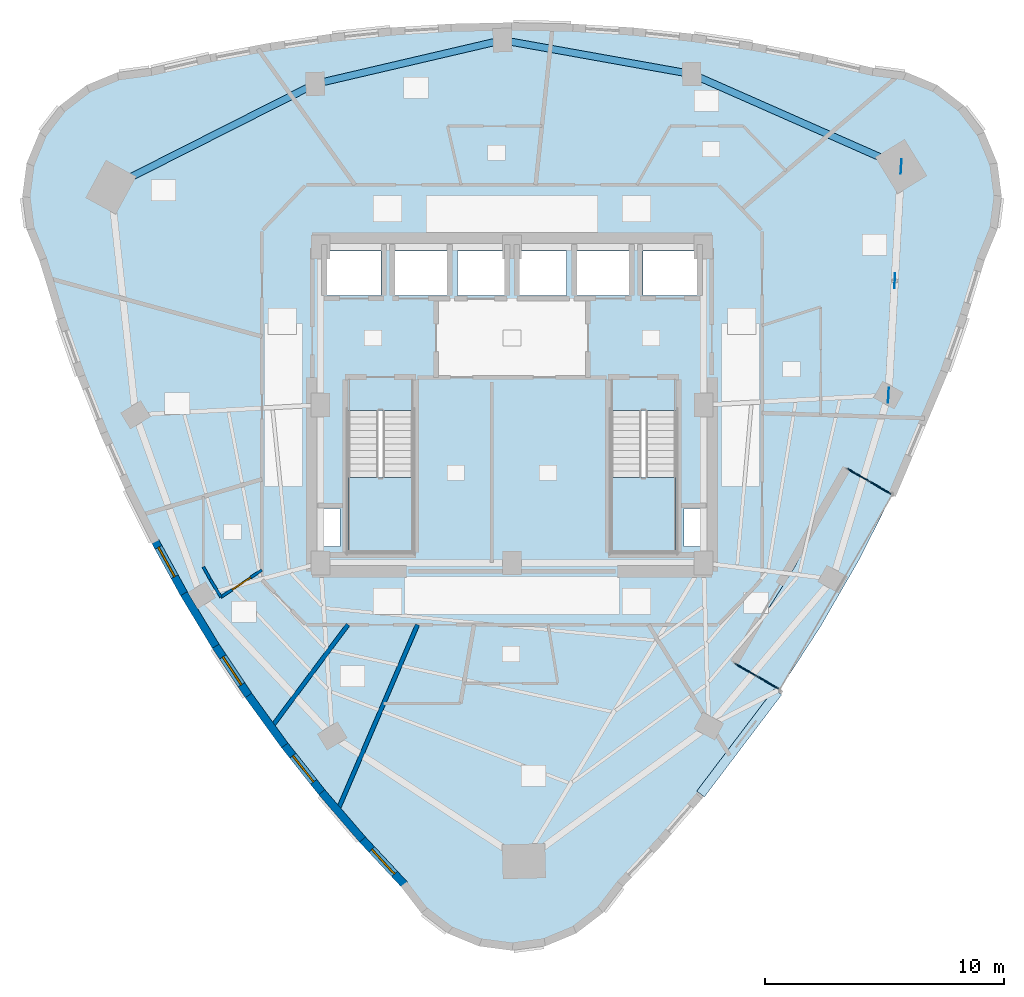
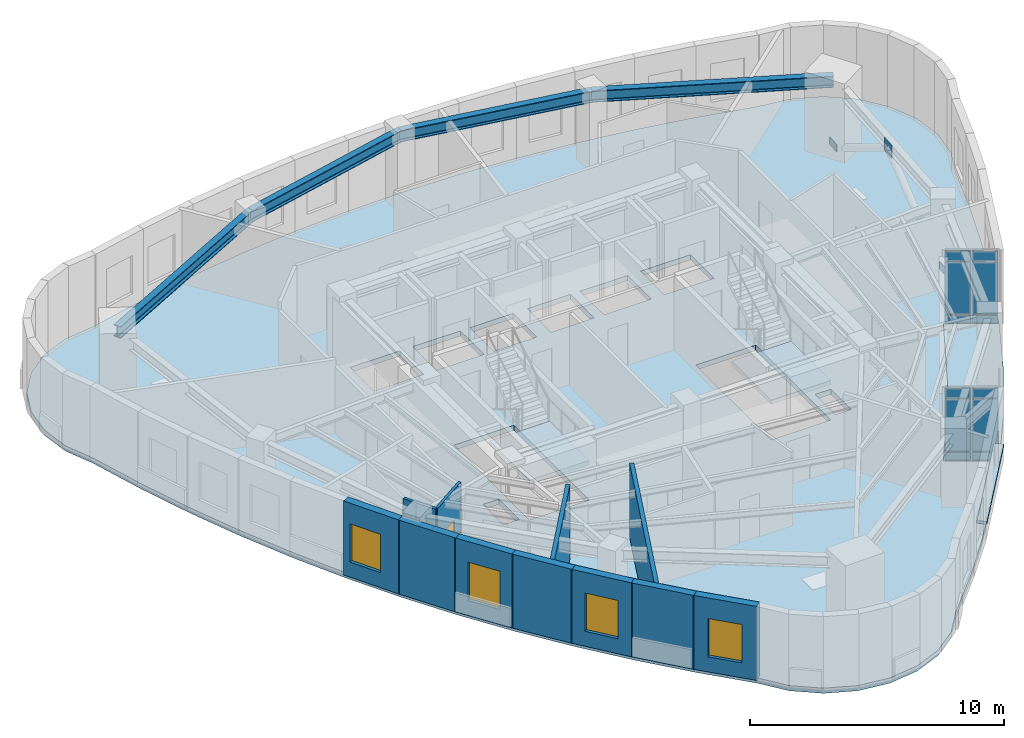
# One storey, part 5 of 12: 16 plates, 12 walls, 4 beams, 4 slabs, 4 windows, 1 door, 5 openings, 4 elements without a shape of their own.
"""IFC4 building model written with IfcOpenShell, lengths in metres."""

from ifc_helpers import new_model, si_unit, direction, frame, frame_2d, origin, origin_2d, place, context, subcontext, project, spatial, polyline, rectangle, i_section, outline, extrude, material, layer, layer_set, material_profile, profile_set, type_object, element, fill, aggregate, save


model = new_model("IFC4")

# Units and contexts
model_context = context("Model", 3, precision=1e-05, world=origin(), true_north=direction((0.0, 1.0)))
body_context = subcontext(model_context, "Body", "Model", "MODEL_VIEW")
ifc_project = project(units=[si_unit("LENGTHUNIT", "METRE"), si_unit("AREAUNIT", "SQUARE_METRE"), si_unit("VOLUMEUNIT", "CUBIC_METRE"), si_unit("PLANEANGLEUNIT", "RADIAN"), si_unit("MASSUNIT", "GRAM", prefix="KILO")], contexts=[model_context])

# Site, building, storey
site_placement = place(None, origin())
site = spatial("IfcSite", under=ifc_project, at=site_placement, CompositionType="ELEMENT")
building_placement = place(site_placement, origin())
building = spatial("IfcBuilding", under=site, at=building_placement, Name="Ndelora Gate Hotel", CompositionType="ELEMENT")
storey_placement = place(building_placement, frame((0.0, 0.0, 205.550048828125)))
storey = spatial("IfcBuildingStorey", under=building, at=storey_placement, Name="L51", CompositionType="ELEMENT", Elevation=205.550048828125)

# Beams
ifc_material_1 = material(Name="Steel S355", Category="steel")
ifc_material_profile = material_profile(ifc_material_1, i_section(OverallWidth=0.300048828125, OverallDepth=0.550048828125, WebThickness=0.014892578125, FlangeThickness=0.029052734375, FilletRadius=0.027099609375, at=origin_2d()), Name="HEB 550")
ifc_profile_set = profile_set([ifc_material_profile], Name="Steel S355")
beam_type = type_object("IfcBeamType", Name="BM-RING-550", PredefinedType="SPANDREL", material=ifc_profile_set)
beam_1_placement = place(storey_placement, frame((16.26025390625, 9.96435546875, 3.27490234375), z_axis=(-0.914807449647, 0.403890245078, 0.0), x_axis=(-0.403890245078, -0.914807449647, 0.0)))
element("IfcBeam", 1, at=beam_1_placement, inside=storey, type_object=beam_type, Name="L51 Perimeter Spandrel Girder 9", PredefinedType="SPANDREL", context=body_context, shape_type="SweptSolid", body=[
    extrude(i_section(OverallWidth=0.300048828125, OverallDepth=0.550048828125, WebThickness=0.014892578125, FlangeThickness=0.029052734375, FilletRadius=0.027099609375, at=origin_2d()), origin(), (0.0, 0.0, 1.0), 9.56689453125),
])
for number, where, z_axis, x_axis, name in (
    (2, (7.50830078125, 13.828369140625, 3.27490234375), (-0.984373619655, 0.176092523767, 0.0), (-0.176092523767, -0.984373619655, 0.0), "L51 Perimeter Spandrel Girder 10"),
    (3, (-0.399169921875, 15.242919921875, 3.27490234375), (-0.973809142107, -0.227367004529, 0.0), (0.227367004529, -0.973809142107, 0.0), "L51 Perimeter Spandrel Girder 11"),
):
    element("IfcBeam", number, at=place(storey_placement, frame(where, z_axis=z_axis, x_axis=x_axis)), inside=storey, type_object=beam_type, Name=name, PredefinedType="SPANDREL", context=body_context, shape_type="SweptSolid", body=[
        extrude(i_section(OverallWidth=0.300048828125, OverallDepth=0.550048828125, WebThickness=0.014892578125, FlangeThickness=0.029052734375, FilletRadius=0.027099609375, at=origin_2d()), origin(), (0.0, 0.0, 1.0), 8.032958984375),
    ])
beam_2_placement = place(storey_placement, frame((-8.2216796875, 13.41650390625, 3.27490234375), z_axis=(-0.89241242978, -0.451220628045, 0.0), x_axis=(0.451220628045, -0.89241242978, 0.0)))
element("IfcBeam", 4, at=beam_2_placement, inside=storey, type_object=beam_type, Name="L51 Perimeter Spandrel Girder 12", PredefinedType="SPANDREL", context=body_context, shape_type="SweptSolid", body=[
    extrude(i_section(OverallWidth=0.300048828125, OverallDepth=0.550048828125, WebThickness=0.014892578125, FlangeThickness=0.029052734375, FilletRadius=0.027099609375, at=origin_2d()), origin(), (0.0, 0.0, 1.0), 9.567138671875),
])

# Curtain wall, plates
ifc_material_2 = material(Name="Bronze Anodised Unitised Aluminium and Low-E Glass", Category="aluminium")
ifc_layer_1 = layer(ifc_material_2, 0.199951171875)
ifc_layer_set_1 = layer_set([ifc_layer_1], Name="Bronze Anodised Unitised Aluminium and Low-E Glass")
curtain_wall_type = type_object("IfcCurtainWallType", Name="CW-SYS-3", PredefinedType="NOTDEFINED", material=ifc_layer_set_1)
curtain_wall_1_placement = place(storey_placement, origin())
curtain_wall_1 = element("IfcCurtainWall", 5, at=curtain_wall_1_placement, inside=storey, type_object=curtain_wall_type, Name="L51 Sky-Garden Loggia Side Curtain Wall CW3-1", PredefinedType="NOTDEFINED")
ifc_material_3 = material(Name="Solar-Control Low-E Insulated Glazing", Category="glass")
ifc_layer_2 = layer(ifc_material_3, 0.048095703125)
ifc_layer_set_2 = layer_set([ifc_layer_2], Name="Solar-Control Low-E Insulated Glazing")
plate_type_1 = type_object("IfcPlateType", Name="PL-CW-GLZ36", PredefinedType="CURTAIN_PANEL", material=ifc_layer_set_2)
plate_1_placement = place(storey_placement, frame((9.77099609375, -11.068359375, 0.05908203125), z_axis=(0.0, 0.0, 1.0), x_axis=(0.866030416344, -0.499991317892, 0.0)))
plate_1 = element("IfcPlate", 6, at=plate_1_placement, type_object=plate_type_1, Name="CW3 panel 1.1", PredefinedType="CURTAIN_PANEL", context=body_context, shape_type="SweptSolid", body=[
    extrude(rectangle(XDim=1.014404296875, YDim=0.048095703125, at=origin_2d()), origin(), (0.0, 0.0, 1.0), 0.364501953125),
])
plate_2_placement = place(storey_placement, frame((9.77099609375, -11.068359375, 0.476318359375), z_axis=(0.0, 0.0, 1.0), x_axis=(0.866030416344, -0.499991317892, 0.0)))
plate_2 = element("IfcPlate", 7, at=plate_2_placement, type_object=plate_type_1, Name="CW3 panel 1.2", PredefinedType="CURTAIN_PANEL", context=body_context, shape_type="SweptSolid", body=[
    extrude(rectangle(XDim=1.014404296875, YDim=0.048095703125, at=origin_2d()), origin(), (0.0, 0.0, 1.0), 2.4970703125),
])
plate_3_placement = place(storey_placement, frame((9.77099609375, -11.068359375, 3.0263671875), z_axis=(0.0, 0.0, 1.0), x_axis=(0.866030416344, -0.499991317892, 0.0)))
plate_3 = element("IfcPlate", 8, at=plate_3_placement, type_object=plate_type_1, Name="CW3 panel 1.3", PredefinedType="CURTAIN_PANEL", context=body_context, shape_type="SweptSolid", body=[
    extrude(rectangle(XDim=1.014404296875, YDim=0.048095703125, at=origin_2d()), origin(), (0.0, 0.0, 1.0), 0.464599609375),
])
plate_4_placement = place(storey_placement, frame((10.695556640625, -11.602294921875, 0.05908203125), z_axis=(0.0, 0.0, 1.0), x_axis=(0.866030416344, -0.499991317892, 0.0)))
plate_4 = element("IfcPlate", 9, at=plate_4_placement, type_object=plate_type_1, Name="CW3 panel 2.1", PredefinedType="CURTAIN_PANEL", context=body_context, shape_type="SweptSolid", body=[
    extrude(rectangle(XDim=1.014404296875, YDim=0.048095703125, at=origin_2d()), origin(), (0.0, 0.0, 1.0), 0.364501953125),
])
plate_5_placement = place(storey_placement, frame((10.695556640625, -11.602294921875, 0.476318359375), z_axis=(0.0, 0.0, 1.0), x_axis=(0.866030416344, -0.499991317892, 0.0)))
plate_5 = element("IfcPlate", 10, at=plate_5_placement, type_object=plate_type_1, Name="CW3 panel 2.2", PredefinedType="CURTAIN_PANEL", context=body_context, shape_type="SweptSolid", body=[
    extrude(rectangle(XDim=1.014404296875, YDim=0.048095703125, at=origin_2d()), origin(), (0.0, 0.0, 1.0), 2.4970703125),
])
plate_6_placement = place(storey_placement, frame((10.695556640625, -11.602294921875, 3.0263671875), z_axis=(0.0, 0.0, 1.0), x_axis=(0.866030416344, -0.499991317892, 0.0)))
plate_6 = element("IfcPlate", 11, at=plate_6_placement, type_object=plate_type_1, Name="CW3 panel 2.3", PredefinedType="CURTAIN_PANEL", context=body_context, shape_type="SweptSolid", body=[
    extrude(rectangle(XDim=1.014404296875, YDim=0.048095703125, at=origin_2d()), origin(), (0.0, 0.0, 1.0), 0.464599609375),
])
aggregate(curtain_wall_1, [plate_1, plate_2, plate_3, plate_4, plate_5, plate_6])

curtain_wall_2_placement = place(storey_placement, origin())
curtain_wall_2 = element("IfcCurtainWall", 12, at=curtain_wall_2_placement, inside=storey, type_object=curtain_wall_type, Name="L51 Sky-Garden Loggia Side Curtain Wall CW3-2", PredefinedType="NOTDEFINED")
plate_7_placement = place(storey_placement, frame((15.3955078125, -3.46142578125, 0.05908203125), z_axis=(0.0, 0.0, 1.0), x_axis=(-0.866030416344, 0.499991317892, 0.0)))
plate_7 = element("IfcPlate", 13, at=plate_7_placement, type_object=plate_type_1, Name="CW3 panel 1.1", PredefinedType="CURTAIN_PANEL", context=body_context, shape_type="SweptSolid", body=[
    extrude(rectangle(XDim=1.014404296875, YDim=0.048095703125, at=origin_2d()), origin(), (0.0, 0.0, 1.0), 0.364501953125),
])
plate_8_placement = place(storey_placement, frame((15.3955078125, -3.46142578125, 0.476318359375), z_axis=(0.0, 0.0, 1.0), x_axis=(-0.866030416344, 0.499991317892, 0.0)))
plate_8 = element("IfcPlate", 14, at=plate_8_placement, type_object=plate_type_1, Name="CW3 panel 1.2", PredefinedType="CURTAIN_PANEL", context=body_context, shape_type="SweptSolid", body=[
    extrude(rectangle(XDim=1.014404296875, YDim=0.048095703125, at=origin_2d()), origin(), (0.0, 0.0, 1.0), 2.4970703125),
])
plate_9_placement = place(storey_placement, frame((15.3955078125, -3.46142578125, 3.0263671875), z_axis=(0.0, 0.0, 1.0), x_axis=(-0.866030416344, 0.499991317892, 0.0)))
plate_9 = element("IfcPlate", 15, at=plate_9_placement, type_object=plate_type_1, Name="CW3 panel 1.3", PredefinedType="CURTAIN_PANEL", context=body_context, shape_type="SweptSolid", body=[
    extrude(rectangle(XDim=1.014404296875, YDim=0.048095703125, at=origin_2d()), origin(), (0.0, 0.0, 1.0), 0.464599609375),
])
plate_10_placement = place(storey_placement, frame((14.470947265625, -2.927734375, 0.05908203125), z_axis=(0.0, 0.0, 1.0), x_axis=(-0.866030416344, 0.499991317892, 0.0)))
plate_10 = element("IfcPlate", 16, at=plate_10_placement, type_object=plate_type_1, Name="CW3 panel 2.1", PredefinedType="CURTAIN_PANEL", context=body_context, shape_type="SweptSolid", body=[
    extrude(rectangle(XDim=1.014404296875, YDim=0.048095703125, at=origin_2d()), origin(), (0.0, 0.0, 1.0), 0.364501953125),
])
plate_11_placement = place(storey_placement, frame((14.470947265625, -2.927734375, 0.476318359375), z_axis=(0.0, 0.0, 1.0), x_axis=(-0.866030416344, 0.499991317892, 0.0)))
plate_11 = element("IfcPlate", 17, at=plate_11_placement, type_object=plate_type_1, Name="CW3 panel 2.2", PredefinedType="CURTAIN_PANEL", context=body_context, shape_type="SweptSolid", body=[
    extrude(rectangle(XDim=1.014404296875, YDim=0.048095703125, at=origin_2d()), origin(), (0.0, 0.0, 1.0), 2.4970703125),
])
plate_12_placement = place(storey_placement, frame((14.470947265625, -2.927734375, 3.0263671875), z_axis=(0.0, 0.0, 1.0), x_axis=(-0.866030416344, 0.499991317892, 0.0)))
plate_12 = element("IfcPlate", 18, at=plate_12_placement, type_object=plate_type_1, Name="CW3 panel 2.3", PredefinedType="CURTAIN_PANEL", context=body_context, shape_type="SweptSolid", body=[
    extrude(rectangle(XDim=1.014404296875, YDim=0.048095703125, at=origin_2d()), origin(), (0.0, 0.0, 1.0), 0.464599609375),
])
aggregate(curtain_wall_2, [plate_7, plate_8, plate_9, plate_10, plate_11, plate_12])

# Plates
ifc_layer_3 = layer(ifc_material_1, 0.02001953125)
ifc_layer_set_3 = layer_set([ifc_layer_3], Name="Steel S355")
plate_type_2 = type_object("IfcPlateType", Name="PL-NODE-VN1", PredefinedType="USERDEFINED", material=ifc_layer_set_3)
for number, where, z_axis, x_axis, name in (
    (19, (15.72998046875, 0.411865234375, -0.2900390625), (0.0, 0.0, 1.0), (0.055472980025, 0.998460188734, 0.0), "Node gusset cap plate VN1"),
    (20, (16.26025390625, 9.96435546875, -0.2900390625), (0.0, 0.0, 1.0), (0.055472980025, 0.998460188734, 0.0), "Node gusset cap plate VN1"),
    (21, (15.9951171875, 5.18798828125, 2.68994140625), (0.0, 0.0, 1.0), (0.055472980025, 0.998460188734, 0.0), "Node gusset cap plate VN1"),
):
    element("IfcPlate", number, at=place(storey_placement, frame(where, z_axis=z_axis, x_axis=x_axis)), inside=storey, type_object=plate_type_2, Name=name, ObjectType="GUSSET_PLATE", PredefinedType="USERDEFINED", context=body_context, shape_type="SweptSolid", body=[
        extrude(rectangle(XDim=0.6201171875, YDim=0.02001953125, at=origin_2d()), origin(), (0.0, 0.0, 1.0), 0.6201171875),
    ])
ifc_material_4 = material(Name="Precast concrete C40/50", Category="concrete")
ifc_layer_4 = layer(ifc_material_4, 0.125)
ifc_layer_set_4 = layer_set([ifc_layer_4], Name="Precast concrete C40/50")
plate_type_3 = type_object("IfcPlateType", Name="PL-SILL-120", PredefinedType="USERDEFINED", material=ifc_layer_set_4)
plate_13_placement = place(storey_placement, frame((9.494384765625, -14.120849609375, 0.787353515625), z_axis=(0.0, 0.0, 1.0), x_axis=(0.603347183213, 0.797478637023, 0.0)))
element("IfcPlate", 22, at=plate_13_placement, inside=storey, type_object=plate_type_3, Name="L51 Streamline Precast Ribbon Sill 31", ObjectType="RIBBON_SILL", PredefinedType="USERDEFINED", context=body_context, shape_type="SweptSolid", body=[
    extrude(rectangle(XDim=5.35693359375, YDim=0.39990234375, at=origin_2d()), origin(), (0.0, 0.0, 1.0), 0.125),
])

# Stair, slab
stair_type = type_object("IfcStairType", Name="STR-DOG-CORE", PredefinedType="HALF_TURN_STAIR", material=ifc_material_4)
stair_1_placement = place(storey_placement, origin())
stair_1 = element("IfcStair", 23, at=stair_1_placement, inside=storey, type_object=stair_type, Name="L51 Protected Core Exit Stair ST4", PredefinedType="HALF_TURN_STAIR")
ifc_layer_5 = layer(ifc_material_4, 0.219970703125)
ifc_layer_set_5 = layer_set([ifc_layer_5], Name="Precast concrete C40/50")
slab_type_1 = type_object("IfcSlabType", Name="SL-LAND-220", PredefinedType="LANDING", material=ifc_layer_set_5)
slab_1_placement = place(storey_placement, frame((0.0, 0.0, 1.699951171875)))
slab_1 = element("IfcSlab", 24, at=slab_1_placement, type_object=slab_type_1, Name="ST4 landing 1", PredefinedType="LANDING", context=body_context, shape_type="SweptSolid", body=[
    extrude(outline(polyline([(-6.85009765625, -3.030029296875), (-6.85009765625, -6.14990234375), (-4.1298828125, -6.14990234375), (-4.1298828125, -3.030029296875), (-6.85009765625, -3.030029296875)])), origin(), (0.0, 0.0, 1.0), 0.199951171875),
])
aggregate(stair_1, [slab_1])

stair_2_placement = place(storey_placement, origin())
stair_2 = element("IfcStair", 25, at=stair_2_placement, inside=storey, type_object=stair_type, Name="L51 Protected Core Exit Stair ST5", PredefinedType="HALF_TURN_STAIR")
slab_2_placement = place(storey_placement, frame((0.0, 0.0, 1.699951171875)))
slab_2 = element("IfcSlab", 26, at=slab_2_placement, type_object=slab_type_1, Name="ST5 landing 1", PredefinedType="LANDING", context=body_context, shape_type="SweptSolid", body=[
    extrude(outline(polyline([(4.1298828125, -3.030029296875), (4.1298828125, -6.14990234375), (6.85009765625, -6.14990234375), (6.85009765625, -3.030029296875), (4.1298828125, -3.030029296875)])), origin(), (0.0, 0.0, 1.0), 0.199951171875),
])
aggregate(stair_2, [slab_2])

# Slabs
ifc_layer_6 = layer(ifc_material_4, 0.239990234375)
ifc_layer_set_6 = layer_set([ifc_layer_6], Name="Precast concrete C40/50")
slab_type_2 = type_object("IfcSlabType", Name="SL-TER-240", PredefinedType="FLOOR", material=ifc_layer_set_6)
slab_3_placement = place(storey_placement, frame((0.0, 0.0, -0.239990234375)))
element("IfcSlab", 27, at=slab_3_placement, inside=storey, type_object=slab_type_2, Name="L51 Sky Garden Loggia Terrace Slab", PredefinedType="FLOOR", context=body_context, shape_type="SweptSolid", body=[
    extrude(outline(polyline([(9.280517578125, -10.785400390625), (11.185791015625, -11.88525390625), (12.8779296875, -9.2802734375), (14.47607421875, -6.512451171875), (15.885986328125, -3.74462890625), (13.980712890625, -2.64453125), (11.790283203125, -6.80712890625), (9.280517578125, -10.785400390625)])), origin(), (0.0, 0.0, 1.0), 0.239990234375),
])
ifc_material_5 = material(Name="Concrete C40/50", Category="concrete")
ifc_layer_7 = layer(ifc_material_5, 0.25)
ifc_layer_set_7 = layer_set([ifc_layer_7], Name="Concrete C40/50")
slab_type_3 = type_object("IfcSlabType", Name="SL-TWR-250", PredefinedType="FLOOR", material=ifc_layer_set_7)
slab_4_placement = place(storey_placement, frame((0.0, 0.0, -0.25)))
element("IfcSlab", 28, at=slab_4_placement, inside=storey, type_object=slab_type_3, Name="L51 Structural Floor Slab", PredefinedType="FLOOR", context=body_context, shape_type="SweptSolid", body=[
    extrude(outline(polyline([(-15.09326171875, 13.9140625), (-16.439208984375, 13.737060546875), (-17.693359375, 13.217529296875), (-18.770263671875, 12.39111328125), (-19.5966796875, 11.314208984375), (-20.1162109375, 10.06005859375), (-20.293212890625, 8.714111328125), (-20.1162109375, 7.368408203125), (-19.5966796875, 6.114013671875), (-18.841796875, 3.645263671875), (-17.9951171875, 1.229248046875), (-17.057373046875, -1.134033203125), (-16.0283203125, -3.4443359375), (-14.907470703125, -5.7021484375), (-13.6953125, -7.906982421875), (-12.39208984375, -10.05908203125), (-10.9970703125, -12.15869140625), (-9.5107421875, -14.205078125), (-7.93310546875, -16.198974609375), (-6.263916015625, -18.139892578125), (-4.50341796875, -20.0283203125), (-3.677001953125, -21.105224609375), (-2.60009765625, -21.931640625), (-1.345947265625, -22.451171875), (0.0, -22.62841796875), (1.345947265625, -22.451171875), (2.60009765625, -21.931640625), (3.677001953125, -21.105224609375), (4.50341796875, -20.0283203125), (6.1953125, -18.216552734375), (7.802978515625, -16.356201171875), (11.185791015625, -11.88525390625), (9.280517578125, -10.785400390625), (11.790283203125, -6.80712890625), (13.980712890625, -2.64453125), (15.885986328125, -3.74462890625), (18.06640625, 1.420654296875), (18.87353515625, 3.7431640625), (19.5966796875, 6.114013671875), (20.1162109375, 7.368408203125), (20.293212890625, 8.714111328125), (20.1162109375, 10.06005859375), (19.5966796875, 11.314208984375), (18.770263671875, 12.39111328125), (17.693359375, 13.217529296875), (16.439208984375, 13.737060546875), (15.09326171875, 13.9140625), (12.577880859375, 14.49462890625), (10.062255859375, 14.9697265625), (7.546630859375, 15.339111328125), (5.031005859375, 15.60302734375), (2.515625, 15.761474609375), (0.0, 15.814208984375), (-2.515625, 15.761474609375), (-5.031005859375, 15.60302734375), (-7.546630859375, 15.339111328125), (-10.062255859375, 14.9697265625), (-12.577880859375, 14.49462890625), (-15.09326171875, 13.9140625)]), holes=[polyline([(-6.85009765625, -0.22998046875), (-6.85009765625, -6.14990234375), (-4.1298828125, -6.14990234375), (-4.1298828125, -0.22998046875), (-6.85009765625, -0.22998046875)]), polyline([(4.1298828125, -0.22998046875), (4.1298828125, -6.14990234375), (6.85009765625, -6.14990234375), (6.85009765625, -0.22998046875), (4.1298828125, -0.22998046875)]), polyline([(-7.72998046875, 4.570068359375), (-5.469970703125, 4.570068359375), (-5.469970703125, 6.429931640625), (-7.72998046875, 6.429931640625), (-7.72998046875, 4.570068359375)]), polyline([(5.469970703125, 4.570068359375), (7.72998046875, 4.570068359375), (7.72998046875, 6.429931640625), (5.469970703125, 6.429931640625), (5.469970703125, 4.570068359375)]), polyline([(-4.8798828125, 4.570068359375), (-2.719970703125, 4.570068359375), (-2.719970703125, 6.429931640625), (-4.8798828125, 6.429931640625), (-4.8798828125, 4.570068359375)]), polyline([(2.719970703125, 4.570068359375), (4.8798828125, 4.570068359375), (4.8798828125, 6.429931640625), (2.719970703125, 6.429931640625), (2.719970703125, 4.570068359375)]), polyline([(-2.280029296875, 4.570068359375), (-0.320068359375, 4.570068359375), (-0.320068359375, 6.429931640625), (-2.280029296875, 6.429931640625), (-2.280029296875, 4.570068359375)]), polyline([(0.320068359375, 4.570068359375), (2.280029296875, 4.570068359375), (2.280029296875, 6.429931640625), (0.320068359375, 6.429931640625), (0.320068359375, 4.570068359375)]), polyline([(-7.89990234375, -5.919921875), (-7.179931640625, -5.919921875), (-7.179931640625, -4.320068359375), (-7.89990234375, -4.320068359375), (-7.89990234375, -5.919921875)]), polyline([(7.179931640625, -5.919921875), (7.89990234375, -5.919921875), (7.89990234375, -4.320068359375), (7.179931640625, -4.320068359375), (7.179931640625, -5.919921875)])]), origin(), (0.0, 0.0, 1.0), 0.25),
])

# Walls
ifc_material_6 = material(Name="Acoustic Double-Stud Gypsum Assembly", Category="gypsum")
ifc_layer_8 = layer(ifc_material_6, 0.179931640625)
ifc_layer_set_8 = layer_set([ifc_layer_8], Name="Acoustic Double-Stud Gypsum Assembly")
wall_type_1 = type_object("IfcWallType", Name="WL-ACOUST-180", PredefinedType="PARTITIONING", material=ifc_layer_set_8)
wall_1_placement = place(storey_placement, frame((-6.851318359375, -9.179931640625, 0.0), z_axis=(0.0, 0.0, 1.0), x_axis=(-0.598105864396, -0.801417104244, 0.0)))
element("IfcWall", 29, at=wall_1_placement, inside=storey, type_object=wall_type_1, Name="L51 Interior Wall IW-3", PredefinedType="PARTITIONING", context=body_context, shape_type="SweptSolid", body=[
    extrude(rectangle(XDim=5.345947265625, YDim=0.179931640625, at=frame_2d((2.6728515625, 0.0))), origin(), (0.0, 0.0, 1.0), 3.550048828125),
])
wall_2_placement = place(storey_placement, frame((-3.947021484375, -9.179931640625, 0.0), z_axis=(0.0, 0.0, 1.0), x_axis=(-0.394985116266, -0.918687519197, 0.0)))
element("IfcWall", 30, at=wall_2_placement, inside=storey, type_object=wall_type_1, Name="L51 Interior Wall IW-3", PredefinedType="PARTITIONING", context=body_context, shape_type="SweptSolid", body=[
    extrude(rectangle(XDim=8.45751953125, YDim=0.179931640625, at=frame_2d((4.228759765625, 0.0))), origin(), (0.0, 0.0, 1.0), 3.550048828125),
])

# Wall, opening, window
ifc_material_7 = material(Name="Clay Brick Masonry", Category="masonry")
ifc_layer_9 = layer(ifc_material_7, 0.330078125)
ifc_layer_set_9 = layer_set([ifc_layer_9], Name="Clay Brick Masonry")
wall_type_2 = type_object("IfcWallType", Name="WL-BRICK-330", PredefinedType="SOLIDWALL", material=ifc_layer_set_9)
wall_3_placement = place(storey_placement, frame((-13.683349609375, -7.928955078125, 0.0), z_axis=(0.0, 0.0, 1.0), x_axis=(-0.481695948565, 0.87633841245, 0.0)))
wall_3 = element("IfcWall", 31, at=wall_3_placement, inside=storey, type_object=wall_type_2, Name="L51 Tower Brick Pier-and-Spandrel Wall TWR-14", PredefinedType="SOLIDWALL", context=body_context, shape_type="SweptSolid", body=[
    extrude(rectangle(XDim=2.566162109375, YDim=0.330078125, at=frame_2d((1.283203125, 0.0))), origin(), (0.0, 0.0, 1.0), 3.550048828125),
])
opening_1_placement = place(wall_3_placement, frame((0.860107421875, 0.0, 0.719970703125)))
opening_1 = element("IfcOpeningElement", 32, at=opening_1_placement, cuts=wall_3, Name="Opening W02", PredefinedType="OPENING", context=body_context, shape_type="SweptSolid", body=[
    extrude(rectangle(XDim=1.39990234375, YDim=1.840087890625, at=frame_2d((0.699951171875, 0.919921875))), frame((0.0, 0.175048828125, 0.0), z_axis=(0.0, -1.0, 0.0), x_axis=(1.0, 0.0, 0.0)), (0.0, 0.0, 1.0), 0.35009765625),
])
ifc_material_8 = material(Name="Insulated Low-E Double Glazing in Bronze Aluminium Frame", Category="aluminium")
window_type = type_object("IfcWindowType", Name="WN-DEEP-1400", PartitioningType="SINGLE_PANEL", PredefinedType="WINDOW", material=ifc_material_8)
window_1_placement = place(opening_1_placement, origin())
window_1 = element("IfcWindow", 33, at=window_1_placement, inside=storey, type_object=window_type, Name="L51 Deep-Set Brick-Pier Window W02", OverallHeight=1.840087890625, OverallWidth=1.39990234375, PartitioningType="SINGLE_PANEL", PredefinedType="WINDOW", context=body_context, shape_type="SweptSolid", body=[
    extrude(rectangle(XDim=1.39990234375, YDim=1.840087890625, at=frame_2d((0.699951171875, 0.919921875))), frame((0.0, 0.030029296875, 0.0), z_axis=(0.0, -1.0, 0.0), x_axis=(1.0, 0.0, 0.0)), (0.0, 0.0, 1.0), 0.06005859375),
])
fill(opening_1, window_1)

# Wall
wall_4_placement = place(storey_placement, frame((-12.37890625, -10.08056640625, 0.0), z_axis=(0.0, 0.0, 1.0), x_axis=(-0.518128806216, 0.855302601521, 0.0)))
element("IfcWall", 34, at=wall_4_placement, inside=storey, type_object=wall_type_2, Name="L51 Tower Brick Pier-and-Spandrel Wall TWR-15", PredefinedType="SOLIDWALL", context=body_context, shape_type="SweptSolid", body=[
    extrude(rectangle(XDim=2.566162109375, YDim=0.330078125, at=frame_2d((1.283203125, 0.0))), origin(), (0.0, 0.0, 1.0), 3.550048828125),
])

# Wall, opening, window
wall_5_placement = place(storey_placement, frame((-10.9833984375, -12.179443359375, 0.0), z_axis=(0.0, 0.0, 1.0), x_axis=(-0.553340543582, 0.832955126539, 0.0)))
wall_5 = element("IfcWall", 35, at=wall_5_placement, inside=storey, type_object=wall_type_2, Name="L51 Tower Brick Pier-and-Spandrel Wall TWR-16", PredefinedType="SOLIDWALL", context=body_context, shape_type="SweptSolid", body=[
    extrude(rectangle(XDim=2.570556640625, YDim=0.330078125, at=frame_2d((1.28515625, 0.0))), origin(), (0.0, 0.0, 1.0), 3.550048828125),
])
opening_2_placement = place(wall_5_placement, frame((0.585205078125, 0.0, 0.719970703125)))
opening_2 = element("IfcOpeningElement", 36, at=opening_2_placement, cuts=wall_5, Name="Opening W02", PredefinedType="OPENING", context=body_context, shape_type="SweptSolid", body=[
    extrude(rectangle(XDim=1.39990234375, YDim=1.840087890625, at=frame_2d((0.699951171875, 0.919921875))), frame((0.0, 0.175048828125, 0.0), z_axis=(0.0, -1.0, 0.0), x_axis=(1.0, 0.0, 0.0)), (0.0, 0.0, 1.0), 0.35009765625),
])
window_2_placement = place(opening_2_placement, origin())
window_2 = element("IfcWindow", 37, at=window_2_placement, inside=storey, type_object=window_type, Name="L51 Deep-Set Brick-Pier Window W02", OverallHeight=1.840087890625, OverallWidth=1.39990234375, PartitioningType="SINGLE_PANEL", PredefinedType="WINDOW", context=body_context, shape_type="SweptSolid", body=[
    extrude(rectangle(XDim=1.39990234375, YDim=1.840087890625, at=frame_2d((0.699951171875, 0.919921875))), frame((0.0, 0.030029296875, 0.0), z_axis=(0.0, -1.0, 0.0), x_axis=(1.0, 0.0, 0.0)), (0.0, 0.0, 1.0), 0.06005859375),
])
fill(opening_2, window_2)

# Wall
wall_6_placement = place(storey_placement, frame((-9.49609375, -14.225341796875, 0.0), z_axis=(0.0, 0.0, 1.0), x_axis=(-0.587631253471, 0.809128858677, 0.0)))
element("IfcWall", 38, at=wall_6_placement, inside=storey, type_object=wall_type_2, Name="L51 Tower Brick Pier-and-Spandrel Wall TWR-17", PredefinedType="SOLIDWALL", context=body_context, shape_type="SweptSolid", body=[
    extrude(rectangle(XDim=2.5791015625, YDim=0.330078125, at=frame_2d((1.28955078125, 0.0))), origin(), (0.0, 0.0, 1.0), 3.550048828125),
])

# Wall, opening, window
wall_7_placement = place(storey_placement, frame((-7.91748046875, -16.218505859375, 0.0), z_axis=(0.0, 0.0, 1.0), x_axis=(-0.62057509915, 0.784147018304, 0.0)))
wall_7 = element("IfcWall", 39, at=wall_7_placement, inside=storey, type_object=wall_type_2, Name="L51 Tower Brick Pier-and-Spandrel Wall TWR-18", PredefinedType="SOLIDWALL", context=body_context, shape_type="SweptSolid", body=[
    extrude(rectangle(XDim=2.592529296875, YDim=0.330078125, at=frame_2d((1.29638671875, 0.0))), origin(), (0.0, 0.0, 1.0), 3.550048828125),
])
opening_3_placement = place(wall_7_placement, frame((0.59619140625, 0.0, 0.719970703125)))
opening_3 = element("IfcOpeningElement", 40, at=opening_3_placement, cuts=wall_7, Name="Opening W02", PredefinedType="OPENING", context=body_context, shape_type="SweptSolid", body=[
    extrude(rectangle(XDim=1.39990234375, YDim=1.840087890625, at=frame_2d((0.699951171875, 0.919921875))), frame((0.0, 0.175048828125, 0.0), z_axis=(0.0, -1.0, 0.0), x_axis=(1.0, 0.0, 0.0)), (0.0, 0.0, 1.0), 0.35009765625),
])
window_3_placement = place(opening_3_placement, origin())
window_3 = element("IfcWindow", 41, at=window_3_placement, inside=storey, type_object=window_type, Name="L51 Deep-Set Brick-Pier Window W02", OverallHeight=1.840087890625, OverallWidth=1.39990234375, PartitioningType="SINGLE_PANEL", PredefinedType="WINDOW", context=body_context, shape_type="SweptSolid", body=[
    extrude(rectangle(XDim=1.39990234375, YDim=1.840087890625, at=frame_2d((0.699951171875, 0.919921875))), frame((0.0, 0.030029296875, 0.0), z_axis=(0.0, -1.0, 0.0), x_axis=(1.0, 0.0, 0.0)), (0.0, 0.0, 1.0), 0.06005859375),
])
fill(opening_3, window_3)

# Wall
wall_8_placement = place(storey_placement, frame((-6.24755859375, -18.158935546875, 0.0), z_axis=(0.0, 0.0, 1.0), x_axis=(-0.651976891987, 0.758238835932, 0.0)))
element("IfcWall", 42, at=wall_8_placement, inside=storey, type_object=wall_type_2, Name="L51 Tower Brick Pier-and-Spandrel Wall TWR-19", PredefinedType="SOLIDWALL", context=body_context, shape_type="SweptSolid", body=[
    extrude(rectangle(XDim=2.610107421875, YDim=0.330078125, at=frame_2d((1.30517578125, 0.0))), origin(), (0.0, 0.0, 1.0), 3.550048828125),
])

# Wall, opening, window
wall_9_placement = place(storey_placement, frame((-4.486328125, -20.046630859375, 0.0), z_axis=(0.0, 0.0, 1.0), x_axis=(-0.68190500199, 0.731440748291, 0.0)))
wall_9 = element("IfcWall", 43, at=wall_9_placement, inside=storey, type_object=wall_type_2, Name="L51 Tower Brick Pier-and-Spandrel Wall TWR-20", PredefinedType="SOLIDWALL", context=body_context, shape_type="SweptSolid", body=[
    extrude(rectangle(XDim=2.6318359375, YDim=0.330078125, at=frame_2d((1.31591796875, 0.0))), origin(), (0.0, 0.0, 1.0), 3.550048828125),
])
opening_4_placement = place(wall_9_placement, frame((0.615966796875, 0.0, 0.719970703125)))
opening_4 = element("IfcOpeningElement", 44, at=opening_4_placement, cuts=wall_9, Name="Opening W02", PredefinedType="OPENING", context=body_context, shape_type="SweptSolid", body=[
    extrude(rectangle(XDim=1.39990234375, YDim=1.840087890625, at=frame_2d((0.699951171875, 0.919921875))), frame((0.0, 0.175048828125, 0.0), z_axis=(0.0, -1.0, 0.0), x_axis=(1.0, 0.0, 0.0)), (0.0, 0.0, 1.0), 0.35009765625),
])
window_4_placement = place(opening_4_placement, origin())
window_4 = element("IfcWindow", 45, at=window_4_placement, inside=storey, type_object=window_type, Name="L51 Deep-Set Brick-Pier Window W02", OverallHeight=1.840087890625, OverallWidth=1.39990234375, PartitioningType="SINGLE_PANEL", PredefinedType="WINDOW", context=body_context, shape_type="SweptSolid", body=[
    extrude(rectangle(XDim=1.39990234375, YDim=1.840087890625, at=frame_2d((0.699951171875, 0.919921875))), frame((0.0, 0.030029296875, 0.0), z_axis=(0.0, -1.0, 0.0), x_axis=(1.0, 0.0, 0.0)), (0.0, 0.0, 1.0), 0.06005859375),
])
fill(opening_4, window_4)

# Wall, opening, door
ifc_material_9 = material(Name="Moisture-Resistant Bathroom Tile Partition", Category="gypsum")
ifc_layer_10 = layer(ifc_material_9, 0.1201171875)
ifc_layer_set_10 = layer_set([ifc_layer_10], Name="Moisture-Resistant Bathroom Tile Partition")
wall_type_3 = type_object("IfcWallType", Name="WL-WET-120", PredefinedType="PARTITIONING", material=ifc_layer_set_10)
wall_10_placement = place(storey_placement, frame((-10.449951171875, -6.89794921875, 0.0), z_axis=(0.0, 0.0, 1.0), x_axis=(-0.834551377169, -0.550930121581, 0.0)))
wall_10 = element("IfcWall", 46, at=wall_10_placement, inside=storey, type_object=wall_type_3, Name="L51 Interior Wall IW-7", PredefinedType="PARTITIONING", context=body_context, shape_type="SweptSolid", body=[
    extrude(rectangle(XDim=2.050537109375, YDim=0.1201171875, at=frame_2d((1.025390625, 0.0))), origin(), (0.0, 0.0, 1.0), 3.550048828125),
])
opening_5_placement = place(wall_10_placement, frame((0.565185546875, 0.0, 0.0)))
opening_5 = element("IfcOpeningElement", 47, at=opening_5_placement, cuts=wall_10, Name="Opening D03", PredefinedType="OPENING", context=body_context, shape_type="SweptSolid", body=[
    extrude(rectangle(XDim=0.919921875, YDim=2.10009765625, at=frame_2d((0.4599609375, 1.050048828125))), frame((0.0, 0.070068359375, 0.0), z_axis=(0.0, -1.0, 0.0), x_axis=(1.0, 0.0, 0.0)), (0.0, 0.0, 1.0), 0.14013671875),
])
ifc_material_10 = material(Name="Moisture-Resistant Hardwood En-Suite Door", Category="wood")
door_type = type_object("IfcDoorType", Name="DR-BATH-920", OperationType="SINGLE_SWING_LEFT", PredefinedType="DOOR", material=ifc_material_10)
door_placement = place(opening_5_placement, origin())
door = element("IfcDoor", 48, at=door_placement, inside=storey, type_object=door_type, Name="L51 En-suite Bathroom 5405 Door", OperationType="SINGLE_SWING_RIGHT", OverallHeight=2.10009765625, OverallWidth=0.919921875, PredefinedType="DOOR", context=body_context, shape_type="SweptSolid", body=[
    extrude(rectangle(XDim=0.919921875, YDim=2.10009765625, at=frame_2d((0.4599609375, 1.050048828125))), frame((0.0, 0.02490234375, 0.0), z_axis=(0.0, -1.0, 0.0), x_axis=(1.0, 0.0, 0.0)), (0.0, 0.0, 1.0), 0.050048828125),
])
fill(opening_5, door)

# Walls
wall_11_placement = place(storey_placement, frame((-12.612548828125, -7.281982421875, 0.0), z_axis=(0.0, 0.0, 1.0), x_axis=(0.517910571046, -0.855434766887, 0.0)))
element("IfcWall", 49, at=wall_11_placement, inside=storey, type_object=wall_type_3, Name="L51 Interior Wall IW-7", PredefinedType="PARTITIONING", context=body_context, shape_type="SweptSolid", body=[
    extrude(rectangle(XDim=0.87158203125, YDim=0.1201171875, at=frame_2d((0.435791015625, 0.0))), origin(), (0.0, 0.0, 1.0), 3.550048828125),
])
wall_12_placement = place(storey_placement, frame((-12.89990234375, -6.75927734375, 0.0), z_axis=(0.0, 0.0, 1.0), x_axis=(0.481745907453, -0.87631094975, 0.0)))
element("IfcWall", 50, at=wall_12_placement, inside=storey, type_object=wall_type_3, Name="L51 Interior Wall IW-7", PredefinedType="PARTITIONING", context=body_context, shape_type="SweptSolid", body=[
    extrude(rectangle(XDim=0.596435546875, YDim=0.1201171875, at=frame_2d((0.29833984375, 0.0))), origin(), (0.0, 0.0, 1.0), 3.550048828125),
])

save(model, "model.ifc")
